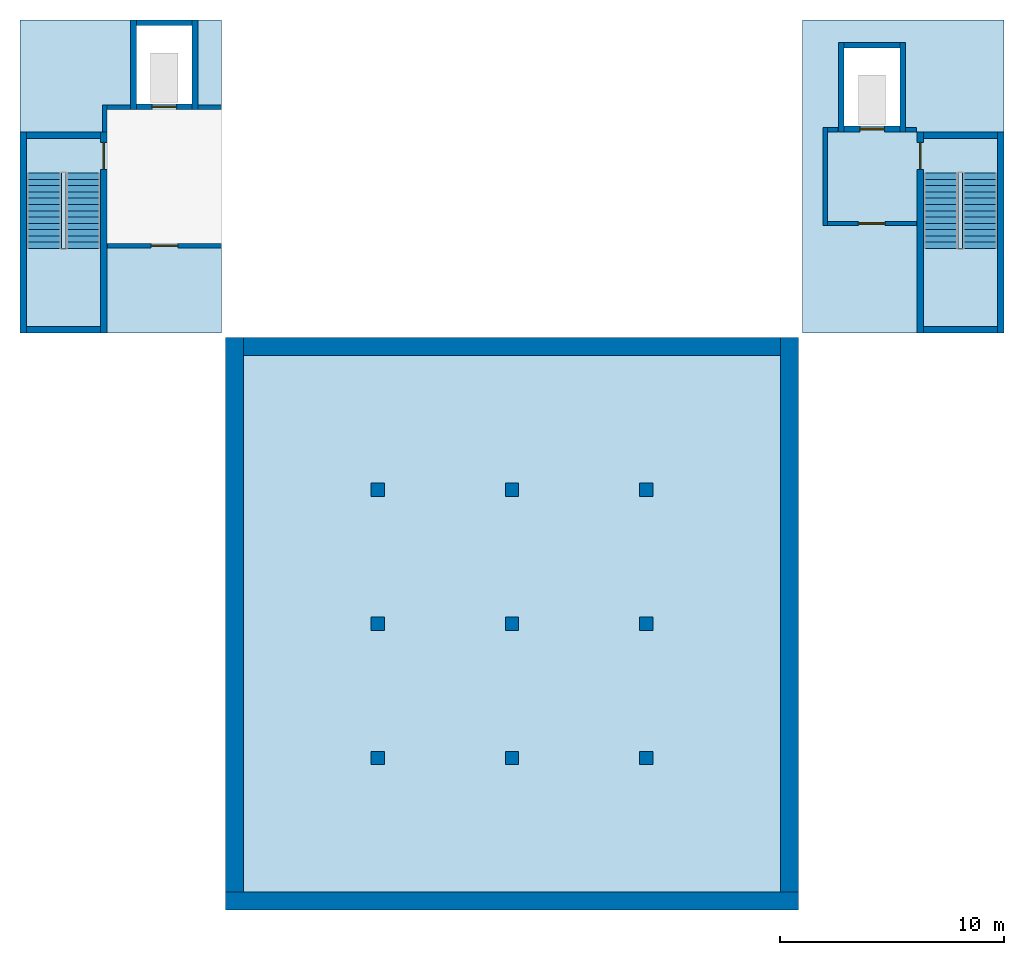
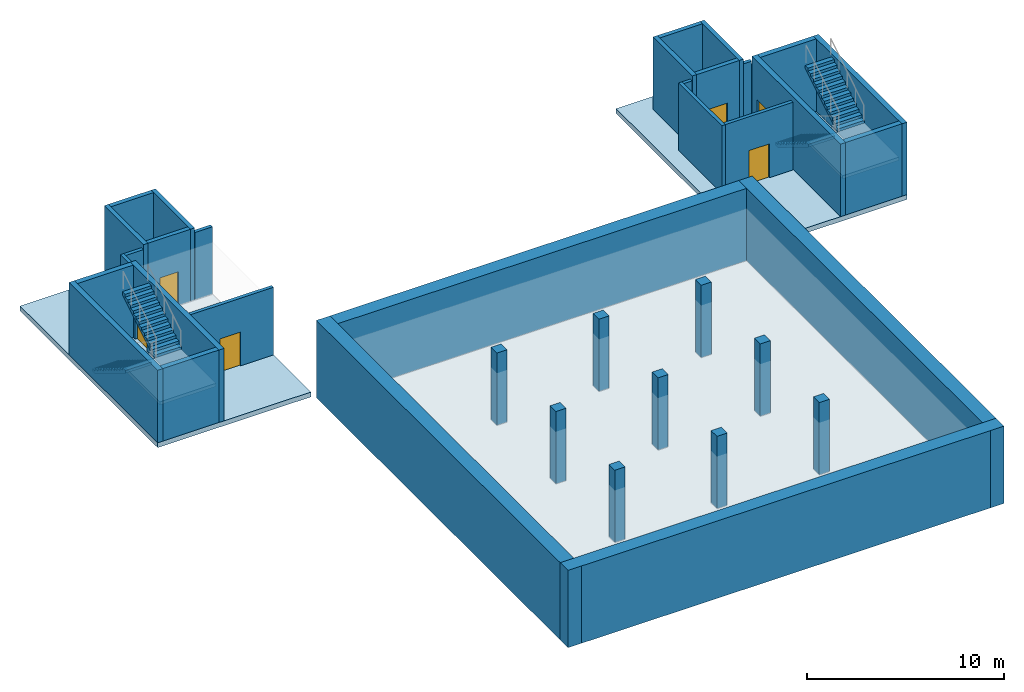
# One storey, part 1 of 7: 28 walls, 9 columns, 6 doors, 5 slabs, 4 stair flights, 6 openings, 2 elements without a shape of their own.
"""IFC4 building model written with IfcOpenShell, lengths in metres."""

from ifc_helpers import new_model, si_unit, direction, frame, frame_2d, origin, origin_2d, place, context, subcontext, project, spatial, polyline, rectangle, outline, extrude, material, layer, layer_set, material_profile, profile_set, type_object, element, fill, aggregate, save


model = new_model("IFC4")

# Units and contexts
model_context = context("Model", 3, precision=1e-05, world=origin(), true_north=direction((0.0, 1.0)))
body_context = subcontext(model_context, "Body", "Model", "MODEL_VIEW")
ifc_project = project(units=[si_unit("LENGTHUNIT", "METRE"), si_unit("AREAUNIT", "SQUARE_METRE"), si_unit("VOLUMEUNIT", "CUBIC_METRE"), si_unit("PLANEANGLEUNIT", "RADIAN"), si_unit("MASSUNIT", "GRAM", prefix="KILO")], contexts=[model_context])

# Site, building, storey
site_placement = place(None, origin())
site = spatial("IfcSite", under=ifc_project, at=site_placement, CompositionType="ELEMENT")
building_placement = place(site_placement, origin())
building = spatial("IfcBuilding", under=site, at=building_placement, Name="Lunette Opera House", CompositionType="ELEMENT")
storey_placement = place(building_placement, frame((0.0, 0.0, -10.5)))
storey = spatial("IfcBuildingStorey", under=building, at=storey_placement, Name="B2", CompositionType="ELEMENT", Elevation=-10.5)

# Columns
ifc_material_1 = material(Name="Concrete C35/45", Category="concrete")
ifc_material_profile = material_profile(ifc_material_1, rectangle(XDim=0.60009765625, YDim=0.60009765625, at=origin_2d()), Name="RC COLUMN 600X600")
ifc_profile_set = profile_set([ifc_material_profile], Name="Concrete C35/45")
column_type = type_object("IfcColumnType", Name="RC COLUMN 600X600", PredefinedType="COLUMN", material=ifc_profile_set)
for number, where, z_axis, x_axis, name in (
    (1, (90.0, 102.0, 0.0), (0.0, 0.0, 1.0), (1.0, 0.0, 0.0), "col-ST-B2-TB2-900-1020"),
    (2, (90.0, 108.0, 0.0), (0.0, 0.0, 1.0), (1.0, 0.0, 0.0), "col-ST-B2-TB2-900-1080"),
    (3, (90.0, 114.0, 0.0), (0.0, 0.0, 1.0), (1.0, 0.0, 0.0), "col-ST-B2-TB2-900-1140"),
    (4, (96.0, 102.0, 0.0), (0.0, 0.0, 1.0), (1.0, 0.0, 0.0), "col-ST-B2-TB2-960-1020"),
    (5, (96.0, 108.0, 0.0), (0.0, 0.0, 1.0), (1.0, 0.0, 0.0), "col-ST-B2-TB2-960-1080"),
    (6, (96.0, 114.0, 0.0), (0.0, 0.0, 1.0), (1.0, 0.0, 0.0), "col-ST-B2-TB2-960-1140"),
    (7, (102.0, 102.0, 0.0), (0.0, 0.0, 1.0), (1.0, 0.0, 0.0), "col-ST-B2-TB2-1020-1020"),
    (8, (102.0, 108.0, 0.0), (0.0, 0.0, 1.0), (1.0, 0.0, 0.0), "col-ST-B2-TB2-1020-1080"),
    (9, (102.0, 114.0, 0.0), (0.0, 0.0, 1.0), (1.0, 0.0, 0.0), "col-ST-B2-TB2-1020-1140"),
):
    element("IfcColumn", number, at=place(storey_placement, frame(where, z_axis=z_axis, x_axis=x_axis)), inside=storey, type_object=column_type, Name=name, PredefinedType="COLUMN", context=body_context, shape_type="SweptSolid", body=[
        extrude(rectangle(XDim=0.60009765625, YDim=0.60009765625, at=origin_2d()), origin(), (0.0, 0.0, 1.0), 4.5),
    ])

# Slabs
ifc_material_2 = material(Name="Concrete C35/45", Category="concrete")
ifc_layer_1 = layer(ifc_material_2, 0.300048828125)
ifc_layer_set_1 = layer_set([ifc_layer_1], Name="Concrete C35/45")
slab_type_1 = type_object("IfcSlabType", Name="BASE SLAB 300", PredefinedType="BASESLAB", material=ifc_layer_set_1)
slab_1_placement = place(storey_placement, frame((0.0, 0.0, -0.300048828125)))
element("IfcSlab", 10, at=slab_1_placement, inside=storey, type_object=slab_type_1, Name="slab-ST-B2-B1", PredefinedType="BASESLAB", context=body_context, shape_type="SweptSolid", body=[
    extrude(outline(polyline([(84.0, 96.0), (108.0, 96.0), (108.0, 120.0), (84.0, 120.0), (84.0, 96.0)])), origin(), (0.0, 0.0, 1.0), 0.300048828125),
])
slab_2_placement = place(storey_placement, frame((0.0, 0.0, -0.300048828125)))
element("IfcSlab", 11, at=slab_2_placement, inside=storey, type_object=slab_type_1, Name="slab-ST-B2-B2", PredefinedType="BASESLAB", context=body_context, shape_type="SweptSolid", body=[
    extrude(outline(polyline([(81.949951171875, 135.0), (78.949951171875, 135.0), (74.0, 135.0), (74.0, 130.0), (74.0, 121.0), (77.89990234375, 121.0), (83.0, 121.0), (83.0, 135.0), (81.949951171875, 135.0)]), holes=[polyline([(81.699951171875, 134.75), (81.699951171875, 131.25), (79.199951171875, 131.25), (79.199951171875, 134.75), (81.699951171875, 134.75)])]), origin(), (0.0, 0.0, 1.0), 0.300048828125),
])
slab_3_placement = place(storey_placement, frame((0.0, 0.0, -0.300048828125)))
element("IfcSlab", 12, at=slab_3_placement, inside=storey, type_object=slab_type_1, Name="slab-ST-B2-B3", PredefinedType="BASESLAB", context=body_context, shape_type="SweptSolid", body=[
    extrude(outline(polyline([(118.0, 135.0), (109.0, 135.0), (109.0, 121.0), (114.10009765625, 121.0), (118.0, 121.0), (118.0, 130.0), (118.0, 135.0)]), holes=[polyline([(113.35009765625, 133.75), (113.35009765625, 130.25), (110.85009765625, 130.25), (110.85009765625, 133.75), (113.35009765625, 133.75)])]), origin(), (0.0, 0.0, 1.0), 0.300048828125),
])

# Stair, slab
ifc_material_3 = material(Name="Concrete C35/45", Category="concrete")
stair_type = type_object("IfcStairType", Name="DOGLEG STAIR 1550", PredefinedType="HALF_TURN_STAIR", material=ifc_material_3)
stair_1_placement = place(storey_placement, origin())
stair_1 = element("IfcStair", 13, at=stair_1_placement, inside=storey, type_object=stair_type, Name="B2 stair ST11", PredefinedType="HALF_TURN_STAIR")
ifc_material_4 = material(Name="Concrete C35/45", Category="concrete")
ifc_layer_2 = layer(ifc_material_4, 0.199951171875)
ifc_layer_set_2 = layer_set([ifc_layer_2], Name="Concrete C35/45")
slab_type_2 = type_object("IfcSlabType", Name="STAIR LANDING SLAB 200", PredefinedType="LANDING", material=ifc_layer_set_2)
slab_4_placement = place(storey_placement, frame((0.0, 0.0, 2.050048828125)))
slab_4 = element("IfcSlab", 14, at=slab_4_placement, type_object=slab_type_2, Name="ST11 landing 1", PredefinedType="LANDING", context=body_context, shape_type="SweptSolid", body=[
    extrude(outline(polyline([(74.300048828125, 121.300048828125), (74.300048828125, 124.800048828125), (75.85009765625, 124.800048828125), (75.85009765625, 124.7900390625), (76.050048828125, 124.7900390625), (76.050048828125, 125.489990234375), (77.60009765625, 125.489990234375), (77.60009765625, 121.300048828125), (74.300048828125, 121.300048828125)])), origin(), (0.0, 0.0, 1.0), 0.199951171875),
])

stair_2_placement = place(storey_placement, origin())
stair_2 = element("IfcStair", 15, at=stair_2_placement, inside=storey, type_object=stair_type, Name="B2 stair ST12", PredefinedType="HALF_TURN_STAIR")
slab_5_placement = place(storey_placement, frame((0.0, 0.0, 2.050048828125)))
slab_5 = element("IfcSlab", 16, at=slab_5_placement, type_object=slab_type_2, Name="ST12 landing 1", PredefinedType="LANDING", context=body_context, shape_type="SweptSolid", body=[
    extrude(outline(polyline([(114.39990234375, 121.300048828125), (114.39990234375, 124.800048828125), (115.949951171875, 124.800048828125), (115.949951171875, 124.7900390625), (116.14990234375, 124.7900390625), (116.14990234375, 125.489990234375), (117.699951171875, 125.489990234375), (117.699951171875, 121.300048828125), (114.39990234375, 121.300048828125)])), origin(), (0.0, 0.0, 1.0), 0.199951171875),
])

# Walls
ifc_material_5 = material(Name="Concrete C40/50", Category="concrete")
ifc_layer_3 = layer(ifc_material_5, 0.800048828125)
ifc_layer_set_3 = layer_set([ifc_layer_3], Name="Concrete C40/50")
wall_type_1 = type_object("IfcWallType", Name="FIRE WALL 800", PredefinedType="SHEAR", material=ifc_layer_set_3)
wall_1_placement = place(storey_placement, frame((83.199951171875, 95.60009765625, -0.300048828125), z_axis=(0.0, 0.0, 1.0), x_axis=(1.0, 0.0, 0.0)))
element("IfcWall", 17, at=wall_1_placement, inside=storey, type_object=wall_type_1, Name="wall-ST-B2-WP-B2", PredefinedType="SHEAR", context=body_context, shape_type="SweptSolid", body=[
    extrude(rectangle(XDim=25.60009765625, YDim=0.800048828125, at=frame_2d((12.800048828125, 0.0))), origin(), (0.0, 0.0, 1.0), 4.800048828125),
])
ifc_material_6 = material(Name="Concrete C35/45", Category="concrete")
ifc_layer_4 = layer(ifc_material_6, 0.199951171875)
ifc_layer_set_4 = layer_set([ifc_layer_4], Name="Concrete C35/45")
wall_type_2 = type_object("IfcWallType", Name="LOBBY WALL 200", PredefinedType="PARTITIONING", material=ifc_layer_set_4)
wall_2_placement = place(storey_placement, frame((114.080078125, 130.10009765625, 0.0), z_axis=(0.0, 0.0, 1.0), x_axis=(-1.0, 0.0, 0.0)))
element("IfcWall", 18, at=wall_2_placement, inside=storey, type_object=wall_type_2, Name="FL3 lobby wall 2a", PredefinedType="PARTITIONING", context=body_context, shape_type="SweptSolid", body=[
    extrude(rectangle(XDim=0.489990234375, YDim=0.199951171875, at=frame_2d((0.2451171875, 0.0))), origin(), (0.0, 0.0, 1.0), 4.199951171875),
])
wall_3_placement = place(storey_placement, frame((110.580078125, 130.10009765625, 0.0), z_axis=(0.0, 0.0, 1.0), x_axis=(-1.0, 0.0, 0.0)))
element("IfcWall", 19, at=wall_3_placement, inside=storey, type_object=wall_type_2, Name="FL3 lobby wall 2b", PredefinedType="PARTITIONING", context=body_context, shape_type="SweptSolid", body=[
    extrude(rectangle(XDim=0.47998046875, YDim=0.199951171875, at=frame_2d((0.239990234375, 0.0))), origin(), (0.0, 0.0, 1.0), 4.199951171875),
])
wall_4_placement = place(storey_placement, frame((110.0, 130.199951171875, 0.0), z_axis=(0.0, 0.0, 1.0), x_axis=(0.0, -1.0, 0.0)))
element("IfcWall", 20, at=wall_4_placement, inside=storey, type_object=wall_type_2, Name="FL3 lobby wall 3a", PredefinedType="PARTITIONING", context=body_context, shape_type="SweptSolid", body=[
    extrude(rectangle(XDim=4.39990234375, YDim=0.199951171875, at=frame_2d((2.199951171875, 0.0))), origin(), (0.0, 0.0, 1.0), 4.199951171875),
])

# Wall, opening, door
wall_5_placement = place(storey_placement, frame((110.10009765625, 125.89990234375, 0.0), z_axis=(0.0, 0.0, 1.0), x_axis=(1.0, 0.0, 0.0)))
wall_5 = element("IfcWall", 21, at=wall_5_placement, inside=storey, type_object=wall_type_2, Name="FL3 lobby wall 4a", PredefinedType="PARTITIONING", context=body_context, shape_type="SweptSolid", body=[
    extrude(rectangle(XDim=3.97998046875, YDim=0.199951171875, at=frame_2d((1.989990234375, 0.0))), origin(), (0.0, 0.0, 1.0), 4.199951171875),
])
opening_1_placement = place(wall_5_placement, frame((1.389892578125, 0.0, 0.0)))
opening_1 = element("IfcOpeningElement", 22, at=opening_1_placement, cuts=wall_5, Name="Opening ST-D7023", PredefinedType="OPENING", context=body_context, shape_type="SweptSolid", body=[
    extrude(rectangle(XDim=1.199951171875, YDim=2.10009765625, at=frame_2d((0.60009765625, 1.050048828125))), frame((0.0, 0.112060546875, 0.0), z_axis=(0.0, -1.0, 0.0), x_axis=(1.0, 0.0, 0.0)), (0.0, 0.0, 1.0), 0.223876953125),
])
ifc_material_7 = material(Name="Steel", Category="steel")
door_type_1 = type_object("IfcDoorType", Name="FIRE DOOR 1200 X 2100", OperationType="SINGLE_SWING_LEFT", PredefinedType="DOOR", material=ifc_material_7)
door_1_placement = place(opening_1_placement, origin())
door_1 = element("IfcDoor", 23, at=door_1_placement, inside=storey, type_object=door_type_1, Name="FL3 lobby door", OperationType="SINGLE_SWING_LEFT", OverallHeight=2.10009765625, OverallWidth=1.199951171875, PredefinedType="DOOR", context=body_context, shape_type="SweptSolid", body=[
    extrude(rectangle(XDim=1.199951171875, YDim=2.10009765625, at=frame_2d((0.60009765625, 1.050048828125))), frame((0.0, 0.02490234375, 0.0), z_axis=(0.0, -1.0, 0.0), x_axis=(1.0, 0.0, 0.0)), (0.0, 0.0, 1.0), 0.050048828125),
])
fill(opening_1, door_1)

# Walls
for number, where, z_axis, x_axis, name in (
    (24, (83.0, 131.10009765625, 0.0), (0.0, 0.0, 1.0), (-1.0, 0.0, 0.0), "LL-SW lobby wall 2a"),
    (25, (78.929931640625, 131.10009765625, 0.0), (0.0, 0.0, 1.0), (-1.0, 0.0, 0.0), "LL-SW lobby wall 2b"),
):
    element("IfcWall", number, at=place(storey_placement, frame(where, z_axis=z_axis, x_axis=x_axis)), inside=storey, type_object=wall_type_2, Name=name, PredefinedType="PARTITIONING", context=body_context, shape_type="SweptSolid", body=[
        extrude(rectangle(XDim=1.030029296875, YDim=0.199951171875, at=frame_2d((0.51513671875, 0.0))), origin(), (0.0, 0.0, 1.0), 4.199951171875),
    ])
wall_6_placement = place(storey_placement, frame((77.800048828125, 131.199951171875, 0.0), z_axis=(0.0, 0.0, 1.0), x_axis=(0.0, -1.0, 0.0)))
element("IfcWall", 26, at=wall_6_placement, inside=storey, type_object=wall_type_2, Name="LL-SW lobby wall 3a", PredefinedType="PARTITIONING", context=body_context, shape_type="SweptSolid", body=[
    extrude(rectangle(XDim=1.2099609375, YDim=0.199951171875, at=frame_2d((0.60498046875, 0.0))), origin(), (0.0, 0.0, 1.0), 4.199951171875),
])

# Wall, opening, door
wall_7_placement = place(storey_placement, frame((77.919921875, 124.89990234375, 0.0), z_axis=(0.0, 0.0, 1.0), x_axis=(1.0, 0.0, 0.0)))
wall_7 = element("IfcWall", 27, at=wall_7_placement, inside=storey, type_object=wall_type_2, Name="LL-SW lobby wall 4a", PredefinedType="PARTITIONING", context=body_context, shape_type="SweptSolid", body=[
    extrude(rectangle(XDim=5.080078125, YDim=0.199951171875, at=frame_2d((2.5400390625, 0.0))), origin(), (0.0, 0.0, 1.0), 4.199951171875),
])
opening_2_placement = place(wall_7_placement, frame((1.93994140625, 0.0, 0.0)))
opening_2 = element("IfcOpeningElement", 28, at=opening_2_placement, cuts=wall_7, Name="Opening ST-D7032", PredefinedType="OPENING", context=body_context, shape_type="SweptSolid", body=[
    extrude(rectangle(XDim=1.199951171875, YDim=2.10009765625, at=frame_2d((0.60009765625, 1.050048828125))), frame((0.0, 0.112060546875, 0.0), z_axis=(0.0, -1.0, 0.0), x_axis=(1.0, 0.0, 0.0)), (0.0, 0.0, 1.0), 0.223876953125),
])
door_2_placement = place(opening_2_placement, origin())
door_2 = element("IfcDoor", 29, at=door_2_placement, inside=storey, type_object=door_type_1, Name="LL-SW lobby door", OperationType="SINGLE_SWING_LEFT", OverallHeight=2.10009765625, OverallWidth=1.199951171875, PredefinedType="DOOR", context=body_context, shape_type="SweptSolid", body=[
    extrude(rectangle(XDim=1.199951171875, YDim=2.10009765625, at=frame_2d((0.60009765625, 1.050048828125))), frame((0.0, 0.02490234375, 0.0), z_axis=(0.0, -1.0, 0.0), x_axis=(1.0, 0.0, 0.0)), (0.0, 0.0, 1.0), 0.050048828125),
])
fill(opening_2, door_2)

# Walls
ifc_material_8 = material(Name="Concrete C35/45", Category="concrete")
ifc_layer_5 = layer(ifc_material_8, 0.25)
ifc_layer_set_5 = layer_set([ifc_layer_5], Name="Concrete C35/45")
wall_type_3 = type_object("IfcWallType", Name="RC LIFT SHAFT WALL 250", PredefinedType="SOLIDWALL", material=ifc_layer_set_5)
wall_8_placement = place(storey_placement, frame((113.47509765625, 130.0, 0.0), z_axis=(0.0, 0.0, 1.0), x_axis=(0.0, 1.0, 0.0)))
element("IfcWall", 30, at=wall_8_placement, inside=storey, type_object=wall_type_3, Name="FL3 shaft wall 1", PredefinedType="SOLIDWALL", context=body_context, shape_type="SweptSolid", body=[
    extrude(rectangle(XDim=4.0, YDim=0.25, at=frame_2d((2.0, 0.0))), origin(), (0.0, 0.0, 1.0), 4.5),
])
wall_9_placement = place(storey_placement, frame((113.35009765625, 133.875, 0.0), z_axis=(0.0, 0.0, 1.0), x_axis=(-1.0, 0.0, 0.0)))
element("IfcWall", 31, at=wall_9_placement, inside=storey, type_object=wall_type_3, Name="FL3 shaft wall 2", PredefinedType="SOLIDWALL", context=body_context, shape_type="SweptSolid", body=[
    extrude(rectangle(XDim=2.5, YDim=0.25, at=frame_2d((1.25, 0.0))), origin(), (0.0, 0.0, 1.0), 4.5),
])
wall_10_placement = place(storey_placement, frame((110.72509765625, 134.0, 0.0), z_axis=(0.0, 0.0, 1.0), x_axis=(0.0, -1.0, 0.0)))
element("IfcWall", 32, at=wall_10_placement, inside=storey, type_object=wall_type_3, Name="FL3 shaft wall 3", PredefinedType="SOLIDWALL", context=body_context, shape_type="SweptSolid", body=[
    extrude(rectangle(XDim=4.0, YDim=0.25, at=frame_2d((2.0, 0.0))), origin(), (0.0, 0.0, 1.0), 4.5),
])

# Wall, opening, door
wall_11_placement = place(storey_placement, frame((110.85009765625, 130.125, 0.0), z_axis=(0.0, 0.0, 1.0), x_axis=(1.0, 0.0, 0.0)))
wall_11 = element("IfcWall", 33, at=wall_11_placement, inside=storey, type_object=wall_type_3, Name="FL3 shaft wall 4", PredefinedType="SOLIDWALL", context=body_context, shape_type="SweptSolid", body=[
    extrude(rectangle(XDim=2.5, YDim=0.25, at=frame_2d((1.25, 0.0))), origin(), (0.0, 0.0, 1.0), 4.5),
])
opening_3_placement = place(wall_11_placement, frame((0.699951171875, 0.0, 0.0)))
opening_3 = element("IfcOpeningElement", 34, at=opening_3_placement, cuts=wall_11, Name="Opening ST-LD001", PredefinedType="OPENING", context=body_context, shape_type="SweptSolid", body=[
    extrude(rectangle(XDim=1.10009765625, YDim=2.10009765625, at=frame_2d((0.550048828125, 1.050048828125))), frame((0.0, 0.136962890625, 0.0), z_axis=(0.0, -1.0, 0.0), x_axis=(1.0, 0.0, 0.0)), (0.0, 0.0, 1.0), 0.27392578125),
])
ifc_material_9 = material(Name="Stainless steel", Category="steel")
door_type_2 = type_object("IfcDoorType", Name="LIFT LANDING DOOR 1100 X 2100", OperationType="DOUBLE_DOOR_SLIDING", PredefinedType="DOOR", material=ifc_material_9)
door_3_placement = place(opening_3_placement, origin())
door_3 = element("IfcDoor", 35, at=door_3_placement, inside=storey, type_object=door_type_2, Name="FL3 lift landing door", OperationType="DOUBLE_DOOR_SLIDING", OverallHeight=2.10009765625, OverallWidth=1.10009765625, PredefinedType="DOOR", context=body_context, shape_type="SweptSolid", body=[
    extrude(rectangle(XDim=1.10009765625, YDim=2.10009765625, at=frame_2d((0.550048828125, 1.050048828125))), frame((0.0, 0.02490234375, 0.0), z_axis=(0.0, -1.0, 0.0), x_axis=(1.0, 0.0, 0.0)), (0.0, 0.0, 1.0), 0.050048828125),
])
fill(opening_3, door_3)

# Walls
wall_12_placement = place(storey_placement, frame((81.824951171875, 131.0, 0.0), z_axis=(0.0, 0.0, 1.0), x_axis=(0.0, 1.0, 0.0)))
element("IfcWall", 36, at=wall_12_placement, inside=storey, type_object=wall_type_3, Name="LF7 shaft wall 1", PredefinedType="SOLIDWALL", context=body_context, shape_type="SweptSolid", body=[
    extrude(rectangle(XDim=4.0, YDim=0.25, at=frame_2d((2.0, 0.0))), origin(), (0.0, 0.0, 1.0), 4.5),
])
wall_13_placement = place(storey_placement, frame((81.699951171875, 134.875, 0.0), z_axis=(0.0, 0.0, 1.0), x_axis=(-1.0, 0.0, 0.0)))
element("IfcWall", 37, at=wall_13_placement, inside=storey, type_object=wall_type_3, Name="LF7 shaft wall 2", PredefinedType="SOLIDWALL", context=body_context, shape_type="SweptSolid", body=[
    extrude(rectangle(XDim=2.5, YDim=0.25, at=frame_2d((1.25, 0.0))), origin(), (0.0, 0.0, 1.0), 4.5),
])
wall_14_placement = place(storey_placement, frame((79.074951171875, 135.0, 0.0), z_axis=(0.0, 0.0, 1.0), x_axis=(0.0, -1.0, 0.0)))
element("IfcWall", 38, at=wall_14_placement, inside=storey, type_object=wall_type_3, Name="LF7 shaft wall 3", PredefinedType="SOLIDWALL", context=body_context, shape_type="SweptSolid", body=[
    extrude(rectangle(XDim=4.0, YDim=0.25, at=frame_2d((2.0, 0.0))), origin(), (0.0, 0.0, 1.0), 4.5),
])

# Wall, opening, door
wall_15_placement = place(storey_placement, frame((79.199951171875, 131.125, 0.0), z_axis=(0.0, 0.0, 1.0), x_axis=(1.0, 0.0, 0.0)))
wall_15 = element("IfcWall", 39, at=wall_15_placement, inside=storey, type_object=wall_type_3, Name="LF7 shaft wall 4", PredefinedType="SOLIDWALL", context=body_context, shape_type="SweptSolid", body=[
    extrude(rectangle(XDim=2.5, YDim=0.25, at=frame_2d((1.25, 0.0))), origin(), (0.0, 0.0, 1.0), 4.5),
])
opening_4_placement = place(wall_15_placement, frame((0.699951171875, 0.0, 0.0)))
opening_4 = element("IfcOpeningElement", 40, at=opening_4_placement, cuts=wall_15, Name="Opening ST-LD010", PredefinedType="OPENING", context=body_context, shape_type="SweptSolid", body=[
    extrude(rectangle(XDim=1.10009765625, YDim=2.10009765625, at=frame_2d((0.550048828125, 1.050048828125))), frame((0.0, 0.136962890625, 0.0), z_axis=(0.0, -1.0, 0.0), x_axis=(1.0, 0.0, 0.0)), (0.0, 0.0, 1.0), 0.27392578125),
])
door_4_placement = place(opening_4_placement, origin())
door_4 = element("IfcDoor", 41, at=door_4_placement, inside=storey, type_object=door_type_2, Name="LF7 lift landing door", OperationType="DOUBLE_DOOR_SLIDING", OverallHeight=2.10009765625, OverallWidth=1.10009765625, PredefinedType="DOOR", context=body_context, shape_type="SweptSolid", body=[
    extrude(rectangle(XDim=1.10009765625, YDim=2.10009765625, at=frame_2d((0.550048828125, 1.050048828125))), frame((0.0, 0.02490234375, 0.0), z_axis=(0.0, -1.0, 0.0), x_axis=(1.0, 0.0, 0.0)), (0.0, 0.0, 1.0), 0.050048828125),
])
fill(opening_4, door_4)

ifc_material_10 = material(Name="Concrete C35/45", Category="concrete")
ifc_layer_6 = layer(ifc_material_10, 0.300048828125)
ifc_layer_set_6 = layer_set([ifc_layer_6], Name="Concrete C35/45")
wall_type_4 = type_object("IfcWallType", Name="RC STAIR ENCLOSURE WALL 300", PredefinedType="SOLIDWALL", material=ifc_layer_set_6)
wall_16_placement = place(storey_placement, frame((77.75, 121.0, 0.0), z_axis=(0.0, 0.0, 1.0), x_axis=(0.0, 1.0, 0.0)))
wall_16 = element("IfcWall", 42, at=wall_16_placement, inside=storey, type_object=wall_type_4, Name="ST11 enclosure wall 1", PredefinedType="SOLIDWALL", context=body_context, shape_type="SweptSolid", body=[
    extrude(rectangle(XDim=9.0, YDim=0.300048828125, at=frame_2d((4.5, 0.0))), origin(), (0.0, 0.0, 1.0), 4.5),
])
opening_5_placement = place(wall_16_placement, frame((7.324951171875, 0.0, 0.0)))
opening_5 = element("IfcOpeningElement", 43, at=opening_5_placement, cuts=wall_16, Name="Opening ST-D7001", PredefinedType="OPENING", context=body_context, shape_type="SweptSolid", body=[
    extrude(rectangle(XDim=1.199951171875, YDim=2.10009765625, at=frame_2d((0.60009765625, 1.050048828125))), frame((0.0, 0.162109375, 0.0), z_axis=(0.0, -1.0, 0.0), x_axis=(1.0, 0.0, 0.0)), (0.0, 0.0, 1.0), 0.323974609375),
])
door_5_placement = place(opening_5_placement, origin())
door_5 = element("IfcDoor", 44, at=door_5_placement, inside=storey, type_object=door_type_1, Name="ST11 stair door", OperationType="SINGLE_SWING_LEFT", OverallHeight=2.10009765625, OverallWidth=1.199951171875, PredefinedType="DOOR", context=body_context, shape_type="SweptSolid", body=[
    extrude(rectangle(XDim=1.199951171875, YDim=2.10009765625, at=frame_2d((0.60009765625, 1.050048828125))), frame((0.0, 0.02490234375, 0.0), z_axis=(0.0, -1.0, 0.0), x_axis=(1.0, 0.0, 0.0)), (0.0, 0.0, 1.0), 0.050048828125),
])
fill(opening_5, door_5)

# Walls
wall_17_placement = place(storey_placement, frame((77.60009765625, 129.85009765625, 0.0), z_axis=(0.0, 0.0, 1.0), x_axis=(-1.0, 0.0, 0.0)))
element("IfcWall", 45, at=wall_17_placement, inside=storey, type_object=wall_type_4, Name="ST11 enclosure wall 2", PredefinedType="SOLIDWALL", context=body_context, shape_type="SweptSolid", body=[
    extrude(rectangle(XDim=3.300048828125, YDim=0.300048828125, at=frame_2d((1.64990234375, 0.0))), origin(), (0.0, 0.0, 1.0), 4.5),
])
wall_18_placement = place(storey_placement, frame((74.14990234375, 130.0, 0.0), z_axis=(0.0, 0.0, 1.0), x_axis=(0.0, -1.0, 0.0)))
element("IfcWall", 46, at=wall_18_placement, inside=storey, type_object=wall_type_4, Name="ST11 enclosure wall 3", PredefinedType="SOLIDWALL", context=body_context, shape_type="SweptSolid", body=[
    extrude(rectangle(XDim=9.0, YDim=0.300048828125, at=frame_2d((4.5, 0.0))), origin(), (0.0, 0.0, 1.0), 4.5),
])
wall_19_placement = place(storey_placement, frame((74.300048828125, 121.14990234375, 0.0), z_axis=(0.0, 0.0, 1.0), x_axis=(1.0, 0.0, 0.0)))
element("IfcWall", 47, at=wall_19_placement, inside=storey, type_object=wall_type_4, Name="ST11 enclosure wall 4", PredefinedType="SOLIDWALL", context=body_context, shape_type="SweptSolid", body=[
    extrude(rectangle(XDim=3.300048828125, YDim=0.300048828125, at=frame_2d((1.64990234375, 0.0))), origin(), (0.0, 0.0, 1.0), 4.5),
])
wall_20_placement = place(storey_placement, frame((117.85009765625, 121.0, 0.0), z_axis=(0.0, 0.0, 1.0), x_axis=(0.0, 1.0, 0.0)))
element("IfcWall", 48, at=wall_20_placement, inside=storey, type_object=wall_type_4, Name="ST12 enclosure wall 1", PredefinedType="SOLIDWALL", context=body_context, shape_type="SweptSolid", body=[
    extrude(rectangle(XDim=9.0, YDim=0.300048828125, at=frame_2d((4.5, 0.0))), origin(), (0.0, 0.0, 1.0), 4.5),
])
wall_21_placement = place(storey_placement, frame((117.699951171875, 129.85009765625, 0.0), z_axis=(0.0, 0.0, 1.0), x_axis=(-1.0, 0.0, 0.0)))
element("IfcWall", 49, at=wall_21_placement, inside=storey, type_object=wall_type_4, Name="ST12 enclosure wall 2", PredefinedType="SOLIDWALL", context=body_context, shape_type="SweptSolid", body=[
    extrude(rectangle(XDim=3.300048828125, YDim=0.300048828125, at=frame_2d((1.64990234375, 0.0))), origin(), (0.0, 0.0, 1.0), 4.5),
])

# Wall, opening, door
wall_22_placement = place(storey_placement, frame((114.25, 130.0, 0.0), z_axis=(0.0, 0.0, 1.0), x_axis=(0.0, -1.0, 0.0)))
wall_22 = element("IfcWall", 50, at=wall_22_placement, inside=storey, type_object=wall_type_4, Name="ST12 enclosure wall 3", PredefinedType="SOLIDWALL", context=body_context, shape_type="SweptSolid", body=[
    extrude(rectangle(XDim=9.0, YDim=0.300048828125, at=frame_2d((4.5, 0.0))), origin(), (0.0, 0.0, 1.0), 4.5),
])
opening_6_placement = place(wall_22_placement, frame((0.47509765625, 0.0, 0.0)))
opening_6 = element("IfcOpeningElement", 51, at=opening_6_placement, cuts=wall_22, Name="Opening ST-D7010", PredefinedType="OPENING", context=body_context, shape_type="SweptSolid", body=[
    extrude(rectangle(XDim=1.199951171875, YDim=2.10009765625, at=frame_2d((0.60009765625, 1.050048828125))), frame((0.0, 0.162109375, 0.0), z_axis=(0.0, -1.0, 0.0), x_axis=(1.0, 0.0, 0.0)), (0.0, 0.0, 1.0), 0.323974609375),
])
door_6_placement = place(opening_6_placement, origin())
door_6 = element("IfcDoor", 52, at=door_6_placement, inside=storey, type_object=door_type_1, Name="ST12 stair door", OperationType="SINGLE_SWING_LEFT", OverallHeight=2.10009765625, OverallWidth=1.199951171875, PredefinedType="DOOR", context=body_context, shape_type="SweptSolid", body=[
    extrude(rectangle(XDim=1.199951171875, YDim=2.10009765625, at=frame_2d((0.60009765625, 1.050048828125))), frame((0.0, 0.02490234375, 0.0), z_axis=(0.0, -1.0, 0.0), x_axis=(1.0, 0.0, 0.0)), (0.0, 0.0, 1.0), 0.050048828125),
])
fill(opening_6, door_6)

# Walls
wall_23_placement = place(storey_placement, frame((114.39990234375, 121.14990234375, 0.0), z_axis=(0.0, 0.0, 1.0), x_axis=(1.0, 0.0, 0.0)))
element("IfcWall", 53, at=wall_23_placement, inside=storey, type_object=wall_type_4, Name="ST12 enclosure wall 4", PredefinedType="SOLIDWALL", context=body_context, shape_type="SweptSolid", body=[
    extrude(rectangle(XDim=3.300048828125, YDim=0.300048828125, at=frame_2d((1.64990234375, 0.0))), origin(), (0.0, 0.0, 1.0), 4.5),
])
ifc_material_11 = material(Name="Concrete C40/50", Category="concrete")
ifc_layer_7 = layer(ifc_material_11, 0.800048828125)
ifc_layer_set_7 = layer_set([ifc_layer_7], Name="Concrete C40/50")
wall_type_5 = type_object("IfcWallType", Name="RC WALL 800", PredefinedType="SHEAR", material=ifc_layer_set_7)
for number, where, z_axis, x_axis, name in (
    (54, (83.60009765625, 95.199951171875, -0.300048828125), (0.0, 0.0, 1.0), (0.0, 1.0, 0.0), "wall-ST-B2-WW-1"),
    (55, (108.39990234375, 95.199951171875, -0.300048828125), (0.0, 0.0, 1.0), (0.0, 1.0, 0.0), "wall-ST-B2-WE-1"),
):
    element("IfcWall", number, at=place(storey_placement, frame(where, z_axis=z_axis, x_axis=x_axis)), inside=storey, type_object=wall_type_5, Name=name, PredefinedType="SHEAR", context=body_context, shape_type="SweptSolid", body=[
        extrude(rectangle(XDim=25.60009765625, YDim=0.800048828125, at=frame_2d((12.800048828125, 0.0))), origin(), (0.0, 0.0, 1.0), 4.800048828125),
    ])
wall_24_placement = place(storey_placement, frame((84.0, 120.39990234375, -0.300048828125), z_axis=(0.0, 0.0, 1.0), x_axis=(1.0, 0.0, 0.0)))
element("IfcWall", 56, at=wall_24_placement, inside=storey, type_object=wall_type_5, Name="wall-ST-B2-WN-1", PredefinedType="SHEAR", context=body_context, shape_type="SweptSolid", body=[
    extrude(rectangle(XDim=24.0, YDim=0.800048828125, at=frame_2d((12.0, 0.0))), origin(), (0.0, 0.0, 1.0), 4.800048828125),
])

# Stair flight
ifc_material_12 = material(Name="Concrete C35/45", Category="concrete")
stair_flight_type = type_object("IfcStairFlightType", Name="STRAIGHT STAIR FLIGHT 1550", PredefinedType="STRAIGHT", material=ifc_material_12)
stair_flight_1_placement = place(storey_placement, frame((75.074951171875, 128.14990234375, 0.0), z_axis=(0.0, 0.0, 1.0), x_axis=(0.0, -1.0, 0.0)))
stair_flight_1 = element("IfcStairFlight", 57, at=stair_flight_1_placement, type_object=stair_flight_type, Name="ST11 flight 1", NumberOfRisers=13, NumberOfTreads=12, PredefinedType="STRAIGHT", RiserHeight=0.173076923, TreadLength=0.28, context=body_context, shape_type="SweptSolid", body=[
    extrude(outline(polyline([(0.0, 0.0), (0.0, 0.173095703125), (0.280029296875, 0.173095703125), (0.280029296875, 0.34619140625), (0.56005859375, 0.34619140625), (0.56005859375, 0.519287109375), (0.840087890625, 0.519287109375), (0.840087890625, 0.6923828125), (1.1201171875, 0.6923828125), (1.1201171875, 0.865478515625), (1.39990234375, 0.865478515625), (1.39990234375, 1.03857421875), (1.679931640625, 1.03857421875), (1.679931640625, 1.21142578125), (1.9599609375, 1.21142578125), (1.9599609375, 1.384521484375), (2.239990234375, 1.384521484375), (2.239990234375, 1.5576171875), (2.52001953125, 1.5576171875), (2.52001953125, 1.730712890625), (2.800048828125, 1.730712890625), (2.800048828125, 1.90380859375), (3.080078125, 1.90380859375), (3.080078125, 2.076904296875), (3.360107421875, 2.076904296875), (3.360107421875, 2.25), (3.360107421875, 1.900634765625), (0.28515625, 0.0), (0.0, 0.0)])), frame((0.0, 0.77490234375, 0.0), z_axis=(0.0, -1.0, 0.0), x_axis=(1.0, 0.0, 0.0)), (0.0, 0.0, 1.0), 1.550048828125),
])

stair_flight_2_placement = place(storey_placement, frame((76.824951171875, 124.7900390625, 2.25), z_axis=(0.0, 0.0, 1.0), x_axis=(0.0, 1.0, 0.0)))
stair_flight_2 = element("IfcStairFlight", 58, at=stair_flight_2_placement, type_object=stair_flight_type, Name="ST11 flight 2", NumberOfRisers=13, NumberOfTreads=12, PredefinedType="STRAIGHT", RiserHeight=0.173076923, TreadLength=0.28, context=body_context, shape_type="SweptSolid", body=[
    extrude(outline(polyline([(0.0, 0.0), (0.0, 0.173095703125), (0.280029296875, 0.173095703125), (0.280029296875, 0.34619140625), (0.56005859375, 0.34619140625), (0.56005859375, 0.519287109375), (0.840087890625, 0.519287109375), (0.840087890625, 0.6923828125), (1.1201171875, 0.6923828125), (1.1201171875, 0.865478515625), (1.39990234375, 0.865478515625), (1.39990234375, 1.03857421875), (1.679931640625, 1.03857421875), (1.679931640625, 1.21142578125), (1.9599609375, 1.21142578125), (1.9599609375, 1.384521484375), (2.239990234375, 1.384521484375), (2.239990234375, 1.5576171875), (2.52001953125, 1.5576171875), (2.52001953125, 1.730712890625), (2.800048828125, 1.730712890625), (2.800048828125, 1.90380859375), (3.080078125, 1.90380859375), (3.080078125, 2.076904296875), (3.360107421875, 2.076904296875), (3.360107421875, 2.25), (3.360107421875, 1.900634765625), (0.28515625, 0.0), (0.0, 0.0)])), frame((0.0, 0.77490234375, 0.0), z_axis=(0.0, -1.0, 0.0), x_axis=(1.0, 0.0, 0.0)), (0.0, 0.0, 1.0), 1.550048828125),
])

aggregate(stair_1, [stair_flight_1, stair_flight_2, slab_4])

stair_flight_3_placement = place(storey_placement, frame((115.175048828125, 128.14990234375, 0.0), z_axis=(0.0, 0.0, 1.0), x_axis=(0.0, -1.0, 0.0)))
stair_flight_3 = element("IfcStairFlight", 59, at=stair_flight_3_placement, type_object=stair_flight_type, Name="ST12 flight 1", NumberOfRisers=13, NumberOfTreads=12, PredefinedType="STRAIGHT", RiserHeight=0.173076923, TreadLength=0.28, context=body_context, shape_type="SweptSolid", body=[
    extrude(outline(polyline([(0.0, 0.0), (0.0, 0.173095703125), (0.280029296875, 0.173095703125), (0.280029296875, 0.34619140625), (0.56005859375, 0.34619140625), (0.56005859375, 0.519287109375), (0.840087890625, 0.519287109375), (0.840087890625, 0.6923828125), (1.1201171875, 0.6923828125), (1.1201171875, 0.865478515625), (1.39990234375, 0.865478515625), (1.39990234375, 1.03857421875), (1.679931640625, 1.03857421875), (1.679931640625, 1.21142578125), (1.9599609375, 1.21142578125), (1.9599609375, 1.384521484375), (2.239990234375, 1.384521484375), (2.239990234375, 1.5576171875), (2.52001953125, 1.5576171875), (2.52001953125, 1.730712890625), (2.800048828125, 1.730712890625), (2.800048828125, 1.90380859375), (3.080078125, 1.90380859375), (3.080078125, 2.076904296875), (3.360107421875, 2.076904296875), (3.360107421875, 2.25), (3.360107421875, 1.900634765625), (0.28515625, 0.0), (0.0, 0.0)])), frame((0.0, 0.77490234375, 0.0), z_axis=(0.0, -1.0, 0.0), x_axis=(1.0, 0.0, 0.0)), (0.0, 0.0, 1.0), 1.550048828125),
])

stair_flight_4_placement = place(storey_placement, frame((116.925048828125, 124.7900390625, 2.25), z_axis=(0.0, 0.0, 1.0), x_axis=(0.0, 1.0, 0.0)))
stair_flight_4 = element("IfcStairFlight", 60, at=stair_flight_4_placement, type_object=stair_flight_type, Name="ST12 flight 2", NumberOfRisers=13, NumberOfTreads=12, PredefinedType="STRAIGHT", RiserHeight=0.173076923, TreadLength=0.28, context=body_context, shape_type="SweptSolid", body=[
    extrude(outline(polyline([(0.0, 0.0), (0.0, 0.173095703125), (0.280029296875, 0.173095703125), (0.280029296875, 0.34619140625), (0.56005859375, 0.34619140625), (0.56005859375, 0.519287109375), (0.840087890625, 0.519287109375), (0.840087890625, 0.6923828125), (1.1201171875, 0.6923828125), (1.1201171875, 0.865478515625), (1.39990234375, 0.865478515625), (1.39990234375, 1.03857421875), (1.679931640625, 1.03857421875), (1.679931640625, 1.21142578125), (1.9599609375, 1.21142578125), (1.9599609375, 1.384521484375), (2.239990234375, 1.384521484375), (2.239990234375, 1.5576171875), (2.52001953125, 1.5576171875), (2.52001953125, 1.730712890625), (2.800048828125, 1.730712890625), (2.800048828125, 1.90380859375), (3.080078125, 1.90380859375), (3.080078125, 2.076904296875), (3.360107421875, 2.076904296875), (3.360107421875, 2.25), (3.360107421875, 1.900634765625), (0.28515625, 0.0), (0.0, 0.0)])), frame((0.0, 0.77490234375, 0.0), z_axis=(0.0, -1.0, 0.0), x_axis=(1.0, 0.0, 0.0)), (0.0, 0.0, 1.0), 1.550048828125),
])

aggregate(stair_2, [stair_flight_3, stair_flight_4, slab_5])

save(model, "model.ifc")
